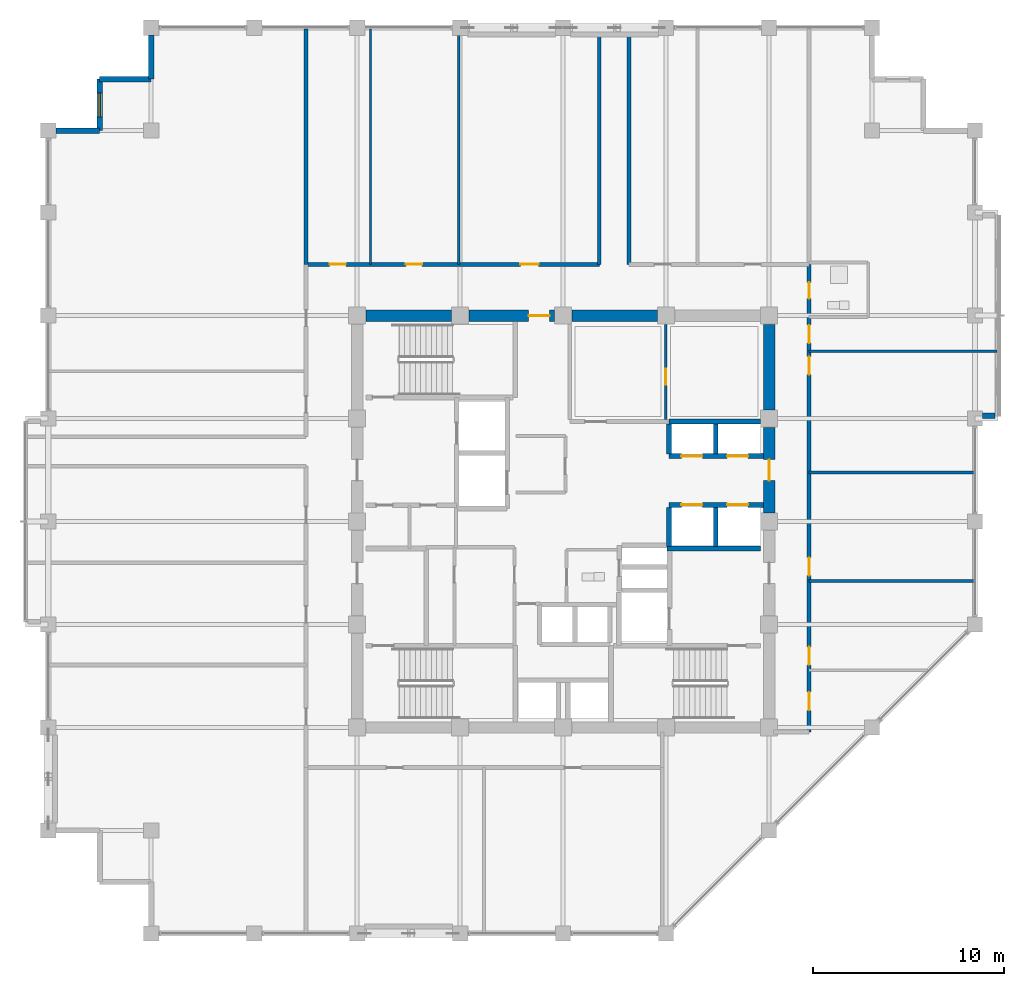
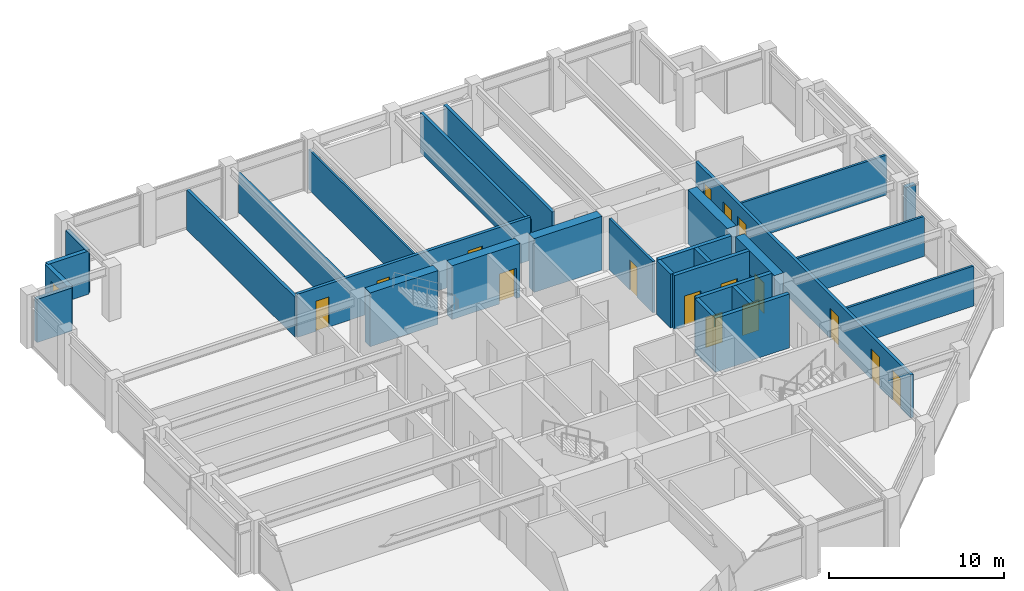
# One storey, part 28 of 32: 29 walls, 16 doors, 1 window, 17 openings.
"""IFC4 building model written with IfcOpenShell, lengths in metres."""

from ifc_helpers import new_model, si_unit, direction, frame, frame_2d, origin, place, context, subcontext, project, spatial, rectangle, extrude, material, layer, layer_set, type_object, element, fill, save


model = new_model("IFC4")

# Units and contexts
model_context = context("Model", 3, precision=1e-05, world=origin(), true_north=direction((0.0, 1.0)))
body_context = subcontext(model_context, "Body", "Model", "MODEL_VIEW")
ifc_project = project(units=[si_unit("LENGTHUNIT", "METRE"), si_unit("AREAUNIT", "SQUARE_METRE"), si_unit("VOLUMEUNIT", "CUBIC_METRE"), si_unit("PLANEANGLEUNIT", "RADIAN"), si_unit("MASSUNIT", "GRAM", prefix="KILO")], contexts=[model_context])

# Site, building, storey
site_placement = place(None, origin())
site = spatial("IfcSite", under=ifc_project, at=site_placement, CompositionType="ELEMENT")
building_placement = place(site_placement, origin())
building = spatial("IfcBuilding", under=site, at=building_placement, Name="Surkhivell Harbour Commons", CompositionType="ELEMENT")
storey_placement = place(building_placement, frame((0.0, 0.0, 234.75)))
storey = spatial("IfcBuildingStorey", under=building, at=storey_placement, Name="L61", CompositionType="ELEMENT", Elevation=234.75)

# Wall
ifc_material_1 = material(Name="Concrete C60/75", Category="concrete")
ifc_layer_1 = layer(ifc_material_1, 0.60009765625)
ifc_layer_set_1 = layer_set([ifc_layer_1], Name="Concrete C60/75")
wall_type_1 = type_object("IfcWallType", Name="WAL-CORE-600", PredefinedType="SHEAR", material=ifc_layer_set_1)
wall_1_placement = place(storey_placement, frame((-10.340087890625, 10.800048828125, 0.0), z_axis=(0.0, 0.0, 1.0), x_axis=(1.0, 0.0, 0.0)))
element("IfcWall", 1, at=wall_1_placement, inside=storey, type_object=wall_type_1, Name="L61 Core Shear Wall North 1", PredefinedType="SHEAR", context=body_context, shape_type="SweptSolid", body=[
    extrude(rectangle(XDim=4.47998046875, YDim=0.60009765625, at=frame_2d((2.239990234375, 0.0))), origin(), (0.0, 0.0, 1.0), 3.75),
])

# Wall, opening, door
wall_2_placement = place(storey_placement, frame((-4.93994140625, 10.800048828125, 0.0), z_axis=(0.0, 0.0, 1.0), x_axis=(1.0, 0.0, 0.0)))
wall_2 = element("IfcWall", 2, at=wall_2_placement, inside=storey, type_object=wall_type_1, Name="L61 Core Shear Wall North 2", PredefinedType="SHEAR", context=body_context, shape_type="SweptSolid", body=[
    extrude(rectangle(XDim=4.47998046875, YDim=0.60009765625, at=frame_2d((2.239990234375, 0.0))), origin(), (0.0, 0.0, 1.0), 3.75),
])
opening_1_placement = place(wall_2_placement, frame((3.1298828125, 0.0, 0.0)))
opening_1 = element("IfcOpeningElement", 3, at=opening_1_placement, cuts=wall_2, Name="Opening ID-2", PredefinedType="OPENING", context=body_context, shape_type="SweptSolid", body=[
    extrude(rectangle(XDim=1.10009765625, YDim=2.10009765625, at=frame_2d((0.550048828125, 1.050048828125))), frame((0.0, 0.31005859375, 0.0), z_axis=(0.0, -1.0, 0.0), x_axis=(1.0, 0.0, 0.0)), (0.0, 0.0, 1.0), 0.6201171875),
])
ifc_material_2 = material(Name="Hardwood-veneered fire-rated door leaf", Category="wood")
door_type_1 = type_object("IfcDoorType", Name="DOR-FD60-1100", OperationType="NOTDEFINED", PredefinedType="DOOR", material=ifc_material_2)
door_1_placement = place(opening_1_placement, origin())
door_1 = element("IfcDoor", 4, at=door_1_placement, inside=storey, type_object=door_type_1, Name="L61 Central Core Lift Hall North Corridor Door", OperationType="SINGLE_SWING_LEFT", OverallHeight=2.10009765625, OverallWidth=1.10009765625, PredefinedType="DOOR", context=body_context, shape_type="SweptSolid", body=[
    extrude(rectangle(XDim=1.10009765625, YDim=2.10009765625, at=frame_2d((0.550048828125, 1.050048828125))), frame((0.0, 0.02490234375, 0.0), z_axis=(0.0, -1.0, 0.0), x_axis=(1.0, 0.0, 0.0)), (0.0, 0.0, 1.0), 0.050048828125),
])
fill(opening_1, door_1)

# Wall
wall_3_placement = place(storey_placement, frame((0.4599609375, 10.800048828125, 0.0), z_axis=(0.0, 0.0, 1.0), x_axis=(1.0, 0.0, 0.0)))
element("IfcWall", 5, at=wall_3_placement, inside=storey, type_object=wall_type_1, Name="L61 Core Shear Wall North 3", PredefinedType="SHEAR", context=body_context, shape_type="SweptSolid", body=[
    extrude(rectangle(XDim=4.47998046875, YDim=0.60009765625, at=frame_2d((2.239990234375, 0.0))), origin(), (0.0, 0.0, 1.0), 3.75),
])

# Wall, opening, door
wall_4_placement = place(storey_placement, frame((10.800048828125, 0.4599609375, 0.0), z_axis=(0.0, 0.0, 1.0), x_axis=(0.0, 1.0, 0.0)))
wall_4 = element("IfcWall", 6, at=wall_4_placement, inside=storey, type_object=wall_type_1, Name="L61 Core Shear Wall East 3", PredefinedType="SHEAR", context=body_context, shape_type="SweptSolid", body=[
    extrude(rectangle(XDim=4.47998046875, YDim=0.60009765625, at=frame_2d((2.239990234375, 0.0))), origin(), (0.0, 0.0, 1.0), 3.75),
])
opening_2_placement = place(wall_4_placement, frame((1.68994140625, 0.0, 0.0)))
opening_2 = element("IfcOpeningElement", 7, at=opening_2_placement, cuts=wall_4, Name="Opening ID-2", PredefinedType="OPENING", context=body_context, shape_type="SweptSolid", body=[
    extrude(rectangle(XDim=1.10009765625, YDim=2.10009765625, at=frame_2d((0.550048828125, 1.050048828125))), frame((0.0, 0.31005859375, 0.0), z_axis=(0.0, -1.0, 0.0), x_axis=(1.0, 0.0, 0.0)), (0.0, 0.0, 1.0), 0.6201171875),
])
door_2_placement = place(opening_2_placement, origin())
door_2 = element("IfcDoor", 8, at=door_2_placement, inside=storey, type_object=door_type_1, Name="L61 Mid-Rise Lobby East Door", OperationType="SINGLE_SWING_LEFT", OverallHeight=2.10009765625, OverallWidth=1.10009765625, PredefinedType="DOOR", context=body_context, shape_type="SweptSolid", body=[
    extrude(rectangle(XDim=1.10009765625, YDim=2.10009765625, at=frame_2d((0.550048828125, 1.050048828125))), frame((0.0, 0.02490234375, 0.0), z_axis=(0.0, -1.0, 0.0), x_axis=(1.0, 0.0, 0.0)), (0.0, 0.0, 1.0), 0.050048828125),
])
fill(opening_2, door_2)

# Walls
wall_5_placement = place(storey_placement, frame((10.800048828125, 5.860107421875, 0.0), z_axis=(0.0, 0.0, 1.0), x_axis=(0.0, 1.0, 0.0)))
element("IfcWall", 9, at=wall_5_placement, inside=storey, type_object=wall_type_1, Name="L61 Core Shear Wall East 4", PredefinedType="SHEAR", context=body_context, shape_type="SweptSolid", body=[
    extrude(rectangle(XDim=4.47998046875, YDim=0.60009765625, at=frame_2d((2.239990234375, 0.0))), origin(), (0.0, 0.0, 1.0), 3.75),
])
ifc_material_3 = material(Name="Flemish-bond kiln brick and precast concrete C45/55", Category="masonry")
ifc_layer_2 = layer(ifc_material_3, 0.300048828125)
ifc_layer_set_2 = layer_set([ifc_layer_2], Name="Flemish-bond kiln brick and precast concrete C45/55")
wall_type_2 = type_object("IfcWallType", Name="WAL-EXT-BRK300", PredefinedType="STANDARD", material=ifc_layer_set_2)
wall_6_placement = place(storey_placement, frame((22.00390625, 5.5400390625, 0.0), z_axis=(0.0, 0.0, 1.0), x_axis=(1.0, 0.0, 0.0)))
element("IfcWall", 10, at=wall_6_placement, inside=storey, type_object=wall_type_2, Name="L61 Coloured Box Return Wall 01S", PredefinedType="STANDARD", context=body_context, shape_type="SweptSolid", body=[
    extrude(rectangle(XDim=0.656005859375, YDim=0.300048828125, at=frame_2d((0.328125, 0.0))), origin(), (0.0, 0.0, 1.0), 2.85693359375),
])
ifc_material_4 = material(Name="Terracotta-clad reinforced concrete C45/55", Category="masonry")
ifc_layer_3 = layer(ifc_material_4, 0.280029296875)
ifc_layer_set_3 = layer_set([ifc_layer_3], Name="Terracotta-clad reinforced concrete C45/55")
wall_type_3 = type_object("IfcWallType", Name="WAL-EXT-TER280", PredefinedType="STANDARD", material=ifc_layer_set_3)
wall_7_placement = place(storey_placement, frame((-21.60009765625, 25.501953125, 0.0), z_axis=(0.0, 0.0, 1.0), x_axis=(0.0, -1.0, 0.0)))
element("IfcWall", 11, at=wall_7_placement, inside=storey, type_object=wall_type_3, Name="L61 Serrated Corner Facade Wall 08", PredefinedType="STANDARD", context=body_context, shape_type="SweptSolid", body=[
    extrude(rectangle(XDim=2.302001953125, YDim=0.280029296875, at=frame_2d((1.15087890625, 0.0))), origin(), (0.0, 0.0, 1.0), 3.006103515625),
])
wall_8_placement = place(storey_placement, frame((-21.60009765625, 23.199951171875, 0.0), z_axis=(0.0, 0.0, 1.0), x_axis=(-1.0, 0.0, 0.0)))
element("IfcWall", 12, at=wall_8_placement, inside=storey, type_object=wall_type_3, Name="L61 Serrated Corner Facade Wall 09", PredefinedType="STANDARD", context=body_context, shape_type="SweptSolid", body=[
    extrude(rectangle(XDim=2.699951171875, YDim=0.280029296875, at=frame_2d((1.35009765625, 0.0))), origin(), (0.0, 0.0, 1.0), 3.006103515625),
])

# Wall, opening, window
wall_9_placement = place(storey_placement, frame((-24.300048828125, 23.199951171875, 0.0), z_axis=(0.0, 0.0, 1.0), x_axis=(0.0, -1.0, 0.0)))
wall_9 = element("IfcWall", 13, at=wall_9_placement, inside=storey, type_object=wall_type_3, Name="L61 Serrated Corner Facade Wall 10", PredefinedType="STANDARD", context=body_context, shape_type="SweptSolid", body=[
    extrude(rectangle(XDim=2.699951171875, YDim=0.280029296875, at=frame_2d((1.35009765625, 0.0))), origin(), (0.0, 0.0, 1.0), 3.006103515625),
])
opening_3_placement = place(wall_9_placement, frame((0.72509765625, 0.0, 0.64990234375)))
opening_3 = element("IfcOpeningElement", 14, at=opening_3_placement, cuts=wall_9, Name="Opening WN-09", PredefinedType="OPENING", context=body_context, shape_type="SweptSolid", body=[
    extrude(rectangle(XDim=1.25, YDim=1.60009765625, at=frame_2d((0.625, 0.800048828125))), frame((0.0, 0.14990234375, 0.0), z_axis=(0.0, -1.0, 0.0), x_axis=(1.0, 0.0, 0.0)), (0.0, 0.0, 1.0), 0.300048828125),
])
ifc_material_5 = material(Name="Thermal-break aluminium frame and double low-E glazing", Category="aluminium")
window_type = type_object("IfcWindowType", Name="WIN-SER-1250x1600", PartitioningType="SINGLE_PANEL", PredefinedType="WINDOW", material=ifc_material_5)
window_placement = place(opening_3_placement, origin())
window = element("IfcWindow", 15, at=window_placement, inside=storey, type_object=window_type, Name="L61 Serrated Alcove Window 10", OverallHeight=1.60009765625, OverallWidth=1.25, PartitioningType="SINGLE_PANEL", PredefinedType="WINDOW", context=body_context, shape_type="SweptSolid", body=[
    extrude(rectangle(XDim=1.25, YDim=1.60009765625, at=frame_2d((0.625, 0.800048828125))), frame((0.0, 0.030029296875, 0.0), z_axis=(0.0, -1.0, 0.0), x_axis=(1.0, 0.0, 0.0)), (0.0, 0.0, 1.0), 0.06005859375),
])
fill(opening_3, window)

# Walls
wall_10_placement = place(storey_placement, frame((-24.300048828125, 20.5, 0.0), z_axis=(0.0, 0.0, 1.0), x_axis=(-1.0, 0.0, 0.0)))
element("IfcWall", 16, at=wall_10_placement, inside=storey, type_object=wall_type_3, Name="L61 Serrated Corner Facade Wall 11", PredefinedType="STANDARD", context=body_context, shape_type="SweptSolid", body=[
    extrude(rectangle(XDim=2.302001953125, YDim=0.280029296875, at=frame_2d((1.15087890625, 0.0))), origin(), (0.0, 0.0, 1.0), 3.006103515625),
])
ifc_material_6 = material(Name="Moisture-resistant acoustic stud partition", Category="other")
ifc_layer_4 = layer(ifc_material_6, 0.125)
ifc_layer_set_4 = layer_set([ifc_layer_4], Name="Moisture-resistant acoustic stud partition")
wall_type_4 = type_object("IfcWallType", Name="WAL-INT-125", PredefinedType="PARTITIONING", material=ifc_layer_set_4)
for number, where, z_axis, x_axis, name in (
    (17, (-10.10009765625, 13.47998046875, 0.0), (0.0, 0.0, 1.0), (0.0, 1.0, 0.0), "L61 North-West Partition P1"),
    (18, (-5.47998046875, 13.47998046875, 0.0), (0.0, 0.0, 1.0), (0.0, 1.0, 0.0), "L61 North-West Partition P2"),
):
    element("IfcWall", number, at=place(storey_placement, frame(where, z_axis=z_axis, x_axis=x_axis)), inside=storey, type_object=wall_type_4, Name=name, PredefinedType="PARTITIONING", context=body_context, shape_type="SweptSolid", body=[
        extrude(rectangle(XDim=12.360107421875, YDim=0.125, at=frame_2d((6.18017578125, 0.0))), origin(), (0.0, 0.0, 1.0), 2.780029296875),
    ])

# Wall, opening, door
ifc_material_7 = material(Name="Twin-stud acoustic fireboard partition", Category="other")
ifc_layer_5 = layer(ifc_material_7, 0.14990234375)
ifc_layer_set_5 = layer_set([ifc_layer_5], Name="Twin-stud acoustic fireboard partition")
wall_type_5 = type_object("IfcWallType", Name="WAL-INT-150", PredefinedType="PARTITIONING", material=ifc_layer_set_5)
wall_11_placement = place(storey_placement, frame((5.3798828125, 5.360107421875, 0.0), z_axis=(0.0, 0.0, 1.0), x_axis=(0.0, 1.0, 0.0)))
wall_11 = element("IfcWall", 19, at=wall_11_placement, inside=storey, type_object=wall_type_5, Name="L61 Core Library Divider", PredefinedType="PARTITIONING", context=body_context, shape_type="SweptSolid", body=[
    extrude(rectangle(XDim=4.97998046875, YDim=0.14990234375, at=frame_2d((2.489990234375, 0.0))), origin(), (0.0, 0.0, 1.0), 3.570068359375),
])
opening_4_placement = place(wall_11_placement, frame((1.800048828125, 0.0, 0.0)))
opening_4 = element("IfcOpeningElement", 20, at=opening_4_placement, cuts=wall_11, Name="Opening ID-6", PredefinedType="OPENING", context=body_context, shape_type="SweptSolid", body=[
    extrude(rectangle(XDim=0.85009765625, YDim=2.10009765625, at=frame_2d((0.425048828125, 1.050048828125))), frame((0.0, 0.0849609375, 0.0), z_axis=(0.0, -1.0, 0.0), x_axis=(1.0, 0.0, 0.0)), (0.0, 0.0, 1.0), 0.169921875),
])
door_type_2 = type_object("IfcDoorType", Name="DOR-FD30-850", OperationType="NOTDEFINED", PredefinedType="DOOR", material=ifc_material_2)
door_3_placement = place(opening_4_placement, origin())
door_3 = element("IfcDoor", 21, at=door_3_placement, inside=storey, type_object=door_type_2, Name="L61 Core Reading Door", OperationType="SINGLE_SWING_RIGHT", OverallHeight=2.10009765625, OverallWidth=0.85009765625, PredefinedType="DOOR", context=body_context, shape_type="SweptSolid", body=[
    extrude(rectangle(XDim=0.85009765625, YDim=2.10009765625, at=frame_2d((0.425048828125, 1.050048828125))), frame((0.0, 0.02490234375, 0.0), z_axis=(0.0, -1.0, 0.0), x_axis=(1.0, 0.0, 0.0)), (0.0, 0.0, 1.0), 0.050048828125),
])
fill(opening_4, door_3)

# Walls
for number, where, z_axis, x_axis, name in (
    (22, (12.89990234375, -3.1201171875, 0.0), (0.0, 0.0, 1.0), (1.0, 0.0, 0.0), "L61 East Partition BDP1"),
    (23, (12.89990234375, 2.570068359375, 0.0), (0.0, 0.0, 1.0), (1.0, 0.0, 0.0), "L61 East Partition BDP2"),
):
    element("IfcWall", number, at=place(storey_placement, frame(where, z_axis=z_axis, x_axis=x_axis)), inside=storey, type_object=wall_type_5, Name=name, PredefinedType="PARTITIONING", context=body_context, shape_type="SweptSolid", body=[
        extrude(rectangle(XDim=8.64013671875, YDim=0.14990234375, at=frame_2d((4.320068359375, 0.0))), origin(), (0.0, 0.0, 1.0), 2.780029296875),
    ])
wall_12_placement = place(storey_placement, frame((12.89990234375, 8.929931640625, 0.0), z_axis=(0.0, 0.0, 1.0), x_axis=(1.0, 0.0, 0.0)))
element("IfcWall", 24, at=wall_12_placement, inside=storey, type_object=wall_type_5, Name="L61 East Partition PTOP", PredefinedType="PARTITIONING", context=body_context, shape_type="SweptSolid", body=[
    extrude(rectangle(XDim=9.840087890625, YDim=0.14990234375, at=frame_2d((4.919921875, 0.0))), origin(), (0.0, 0.0, 1.0), 2.780029296875),
])
ifc_material_8 = material(Name="Autoclaved aerated concrete blockwork and fire plaster", Category="masonry")
ifc_layer_6 = layer(ifc_material_8, 0.199951171875)
ifc_layer_set_6 = layer_set([ifc_layer_6], Name="Autoclaved aerated concrete blockwork and fire plaster")
wall_type_6 = type_object("IfcWallType", Name="WAL-INT-200", PredefinedType="PARTITIONING", material=ifc_layer_set_6)
wall_13_placement = place(storey_placement, frame((-13.47998046875, 13.47998046875, 0.0), z_axis=(0.0, 0.0, 1.0), x_axis=(0.0, 1.0, 0.0)))
element("IfcWall", 25, at=wall_13_placement, inside=storey, type_object=wall_type_6, Name="L61 North-West Corner Wall", PredefinedType="PARTITIONING", context=body_context, shape_type="SweptSolid", body=[
    extrude(rectangle(XDim=12.360107421875, YDim=0.199951171875, at=frame_2d((6.18017578125, 0.0))), origin(), (0.0, 0.0, 1.0), 2.780029296875),
])

# Wall, openings, doors
wall_14_placement = place(storey_placement, frame((12.89990234375, -11.0400390625, 0.0), z_axis=(0.0, 0.0, 1.0), x_axis=(0.0, 1.0, 0.0)))
wall_14 = element("IfcWall", 26, at=wall_14_placement, inside=storey, type_object=wall_type_6, Name="L61 Corridor East Wall", PredefinedType="PARTITIONING", context=body_context, shape_type="SweptSolid", body=[
    extrude(rectangle(XDim=24.52001953125, YDim=0.199951171875, at=frame_2d((12.260009765625, 0.0))), origin(), (0.0, 0.0, 1.0), 3.006103515625),
])
opening_5_placement = place(wall_14_placement, frame((1.139892578125, 0.0, 0.0)))
opening_5 = element("IfcOpeningElement", 27, at=opening_5_placement, cuts=wall_14, Name="Opening ID-4", PredefinedType="OPENING", context=body_context, shape_type="SweptSolid", body=[
    extrude(rectangle(XDim=0.949951171875, YDim=2.10009765625, at=frame_2d((0.47509765625, 1.050048828125))), frame((0.0, 0.10986328125, 0.0), z_axis=(0.0, -1.0, 0.0), x_axis=(1.0, 0.0, 0.0)), (0.0, 0.0, 1.0), 0.219970703125),
])
opening_6_placement = place(wall_14_placement, frame((22.72509765625, 0.0, 0.0)))
opening_6 = element("IfcOpeningElement", 28, at=opening_6_placement, cuts=wall_14, Name="Opening ID-6", PredefinedType="OPENING", context=body_context, shape_type="SweptSolid", body=[
    extrude(rectangle(XDim=0.85009765625, YDim=2.10009765625, at=frame_2d((0.425048828125, 1.050048828125))), frame((0.0, 0.10986328125, 0.0), z_axis=(0.0, -1.0, 0.0), x_axis=(1.0, 0.0, 0.0)), (0.0, 0.0, 1.0), 0.219970703125),
])
opening_7_placement = place(wall_14_placement, frame((20.389892578125, 0.0, 0.0)))
opening_7 = element("IfcOpeningElement", 29, at=opening_7_placement, cuts=wall_14, Name="Opening ID-4", PredefinedType="OPENING", context=body_context, shape_type="SweptSolid", body=[
    extrude(rectangle(XDim=0.949951171875, YDim=2.10009765625, at=frame_2d((0.47509765625, 1.050048828125))), frame((0.0, 0.10986328125, 0.0), z_axis=(0.0, -1.0, 0.0), x_axis=(1.0, 0.0, 0.0)), (0.0, 0.0, 1.0), 0.219970703125),
])
opening_8_placement = place(wall_14_placement, frame((3.52001953125, 0.0, 0.0)))
opening_8 = element("IfcOpeningElement", 30, at=opening_8_placement, cuts=wall_14, Name="Opening ID-4", PredefinedType="OPENING", context=body_context, shape_type="SweptSolid", body=[
    extrude(rectangle(XDim=0.949951171875, YDim=2.10009765625, at=frame_2d((0.47509765625, 1.050048828125))), frame((0.0, 0.10986328125, 0.0), z_axis=(0.0, -1.0, 0.0), x_axis=(1.0, 0.0, 0.0)), (0.0, 0.0, 1.0), 0.219970703125),
])
opening_9_placement = place(wall_14_placement, frame((8.199951171875, 0.0, 0.0)))
opening_9 = element("IfcOpeningElement", 31, at=opening_9_placement, cuts=wall_14, Name="Opening ID-4", PredefinedType="OPENING", context=body_context, shape_type="SweptSolid", body=[
    extrude(rectangle(XDim=0.949951171875, YDim=2.10009765625, at=frame_2d((0.47509765625, 1.050048828125))), frame((0.0, 0.10986328125, 0.0), z_axis=(0.0, -1.0, 0.0), x_axis=(1.0, 0.0, 0.0)), (0.0, 0.0, 1.0), 0.219970703125),
])
opening_10_placement = place(wall_14_placement, frame((18.739990234375, 0.0, 0.0)))
opening_10 = element("IfcOpeningElement", 32, at=opening_10_placement, cuts=wall_14, Name="Opening ID-4", PredefinedType="OPENING", context=body_context, shape_type="SweptSolid", body=[
    extrude(rectangle(XDim=0.949951171875, YDim=2.10009765625, at=frame_2d((0.47509765625, 1.050048828125))), frame((0.0, 0.10986328125, 0.0), z_axis=(0.0, -1.0, 0.0), x_axis=(1.0, 0.0, 0.0)), (0.0, 0.0, 1.0), 0.219970703125),
])
door_4_placement = place(opening_6_placement, origin())
door_4 = element("IfcDoor", 33, at=door_4_placement, inside=storey, type_object=door_type_2, Name="L61 Communal Shower Bathroom East Door", OperationType="SINGLE_SWING_RIGHT", OverallHeight=2.10009765625, OverallWidth=0.85009765625, PredefinedType="DOOR", context=body_context, shape_type="SweptSolid", body=[
    extrude(rectangle(XDim=0.85009765625, YDim=2.10009765625, at=frame_2d((0.425048828125, 1.050048828125))), frame((0.0, 0.02490234375, 0.0), z_axis=(0.0, -1.0, 0.0), x_axis=(1.0, 0.0, 0.0)), (0.0, 0.0, 1.0), 0.050048828125),
])
fill(opening_6, door_4)
door_type_3 = type_object("IfcDoorType", Name="DOR-FD60-950", OperationType="NOTDEFINED", PredefinedType="DOOR", material=ifc_material_2)
door_5_placement = place(opening_5_placement, origin())
door_5 = element("IfcDoor", 34, at=door_5_placement, inside=storey, type_object=door_type_3, Name="L61 Shared Communal Kitchen East Door", OperationType="SINGLE_SWING_LEFT", OverallHeight=2.10009765625, OverallWidth=0.949951171875, PredefinedType="DOOR", context=body_context, shape_type="SweptSolid", body=[
    extrude(rectangle(XDim=0.949951171875, YDim=2.10009765625, at=frame_2d((0.47509765625, 1.050048828125))), frame((0.0, 0.02490234375, 0.0), z_axis=(0.0, -1.0, 0.0), x_axis=(1.0, 0.0, 0.0)), (0.0, 0.0, 1.0), 0.050048828125),
])
fill(opening_5, door_5)
door_6_placement = place(opening_7_placement, origin())
door_6 = element("IfcDoor", 35, at=door_6_placement, inside=storey, type_object=door_type_3, Name="L61 Academic Reading Commons East Door", OperationType="SINGLE_SWING_LEFT", OverallHeight=2.10009765625, OverallWidth=0.949951171875, PredefinedType="DOOR", context=body_context, shape_type="SweptSolid", body=[
    extrude(rectangle(XDim=0.949951171875, YDim=2.10009765625, at=frame_2d((0.47509765625, 1.050048828125))), frame((0.0, 0.02490234375, 0.0), z_axis=(0.0, -1.0, 0.0), x_axis=(1.0, 0.0, 0.0)), (0.0, 0.0, 1.0), 0.050048828125),
])
fill(opening_7, door_6)
door_7_placement = place(opening_8_placement, origin())
door_7 = element("IfcDoor", 36, at=door_7_placement, inside=storey, type_object=door_type_3, Name="L61 Hostel Cluster Bedroom 1 East Door", OperationType="SINGLE_SWING_RIGHT", OverallHeight=2.10009765625, OverallWidth=0.949951171875, PredefinedType="DOOR", context=body_context, shape_type="SweptSolid", body=[
    extrude(rectangle(XDim=0.949951171875, YDim=2.10009765625, at=frame_2d((0.47509765625, 1.050048828125))), frame((0.0, 0.02490234375, 0.0), z_axis=(0.0, -1.0, 0.0), x_axis=(1.0, 0.0, 0.0)), (0.0, 0.0, 1.0), 0.050048828125),
])
fill(opening_8, door_7)
door_8_placement = place(opening_9_placement, origin())
door_8 = element("IfcDoor", 37, at=door_8_placement, inside=storey, type_object=door_type_3, Name="L61 Co-Living Dormitory Bedroom 2 East Door", OperationType="SINGLE_SWING_LEFT", OverallHeight=2.10009765625, OverallWidth=0.949951171875, PredefinedType="DOOR", context=body_context, shape_type="SweptSolid", body=[
    extrude(rectangle(XDim=0.949951171875, YDim=2.10009765625, at=frame_2d((0.47509765625, 1.050048828125))), frame((0.0, 0.02490234375, 0.0), z_axis=(0.0, -1.0, 0.0), x_axis=(1.0, 0.0, 0.0)), (0.0, 0.0, 1.0), 0.050048828125),
])
fill(opening_9, door_8)
door_9_placement = place(opening_10_placement, origin())
door_9 = element("IfcDoor", 38, at=door_9_placement, inside=storey, type_object=door_type_3, Name="L61 Hostel Cluster Bedroom 3 East Door", OperationType="SINGLE_SWING_RIGHT", OverallHeight=2.10009765625, OverallWidth=0.949951171875, PredefinedType="DOOR", context=body_context, shape_type="SweptSolid", body=[
    extrude(rectangle(XDim=0.949951171875, YDim=2.10009765625, at=frame_2d((0.47509765625, 1.050048828125))), frame((0.0, 0.02490234375, 0.0), z_axis=(0.0, -1.0, 0.0), x_axis=(1.0, 0.0, 0.0)), (0.0, 0.0, 1.0), 0.050048828125),
])
fill(opening_10, door_9)

wall_15_placement = place(storey_placement, frame((-13.47998046875, 13.47998046875, 0.0), z_axis=(0.0, 0.0, 1.0), x_axis=(1.0, 0.0, 0.0)))
wall_15 = element("IfcWall", 39, at=wall_15_placement, inside=storey, type_object=wall_type_6, Name="L61 Corridor North-West Wall", PredefinedType="PARTITIONING", context=body_context, shape_type="SweptSolid", body=[
    extrude(rectangle(XDim=15.3798828125, YDim=0.199951171875, at=frame_2d((7.68994140625, 0.0))), origin(), (0.0, 0.0, 1.0), 3.006103515625),
])
opening_11_placement = place(wall_15_placement, frame((1.239990234375, 0.0, 0.0)))
opening_11 = element("IfcOpeningElement", 40, at=opening_11_placement, cuts=wall_15, Name="Opening ID-6", PredefinedType="OPENING", context=body_context, shape_type="SweptSolid", body=[
    extrude(rectangle(XDim=0.85009765625, YDim=2.10009765625, at=frame_2d((0.425048828125, 1.050048828125))), frame((0.0, 0.10986328125, 0.0), z_axis=(0.0, -1.0, 0.0), x_axis=(1.0, 0.0, 0.0)), (0.0, 0.0, 1.0), 0.219970703125),
])
opening_12_placement = place(wall_15_placement, frame((5.239990234375, 0.0, 0.0)))
opening_12 = element("IfcOpeningElement", 41, at=opening_12_placement, cuts=wall_15, Name="Opening ID-6", PredefinedType="OPENING", context=body_context, shape_type="SweptSolid", body=[
    extrude(rectangle(XDim=0.85009765625, YDim=2.10009765625, at=frame_2d((0.425048828125, 1.050048828125))), frame((0.0, 0.10986328125, 0.0), z_axis=(0.0, -1.0, 0.0), x_axis=(1.0, 0.0, 0.0)), (0.0, 0.0, 1.0), 0.219970703125),
])
opening_13_placement = place(wall_15_placement, frame((11.239990234375, 0.0, 0.0)))
opening_13 = element("IfcOpeningElement", 42, at=opening_13_placement, cuts=wall_15, Name="Opening ID-4", PredefinedType="OPENING", context=body_context, shape_type="SweptSolid", body=[
    extrude(rectangle(XDim=0.949951171875, YDim=2.10009765625, at=frame_2d((0.47509765625, 1.050048828125))), frame((0.0, 0.10986328125, 0.0), z_axis=(0.0, -1.0, 0.0), x_axis=(1.0, 0.0, 0.0)), (0.0, 0.0, 1.0), 0.219970703125),
])
door_10_placement = place(opening_11_placement, origin())
door_10 = element("IfcDoor", 43, at=door_10_placement, inside=storey, type_object=door_type_2, Name="L61 Co-Working Study Office 1 North-West Door", OperationType="SINGLE_SWING_RIGHT", OverallHeight=2.10009765625, OverallWidth=0.85009765625, PredefinedType="DOOR", context=body_context, shape_type="SweptSolid", body=[
    extrude(rectangle(XDim=0.85009765625, YDim=2.10009765625, at=frame_2d((0.425048828125, 1.050048828125))), frame((0.0, 0.02490234375, 0.0), z_axis=(0.0, -1.0, 0.0), x_axis=(1.0, 0.0, 0.0)), (0.0, 0.0, 1.0), 0.050048828125),
])
fill(opening_11, door_10)
door_11_placement = place(opening_12_placement, origin())
door_11 = element("IfcDoor", 44, at=door_11_placement, inside=storey, type_object=door_type_2, Name="L61 Co-Working Study Office 2 North-West Door", OperationType="SINGLE_SWING_LEFT", OverallHeight=2.10009765625, OverallWidth=0.85009765625, PredefinedType="DOOR", context=body_context, shape_type="SweptSolid", body=[
    extrude(rectangle(XDim=0.85009765625, YDim=2.10009765625, at=frame_2d((0.425048828125, 1.050048828125))), frame((0.0, 0.02490234375, 0.0), z_axis=(0.0, -1.0, 0.0), x_axis=(1.0, 0.0, 0.0)), (0.0, 0.0, 1.0), 0.050048828125),
])
fill(opening_12, door_11)
door_12_placement = place(opening_13_placement, origin())
door_12 = element("IfcDoor", 45, at=door_12_placement, inside=storey, type_object=door_type_3, Name="L61 Co-Working Study Office 3 North-West Door", OperationType="SINGLE_SWING_RIGHT", OverallHeight=2.10009765625, OverallWidth=0.949951171875, PredefinedType="DOOR", context=body_context, shape_type="SweptSolid", body=[
    extrude(rectangle(XDim=0.949951171875, YDim=2.10009765625, at=frame_2d((0.47509765625, 1.050048828125))), frame((0.0, 0.02490234375, 0.0), z_axis=(0.0, -1.0, 0.0), x_axis=(1.0, 0.0, 0.0)), (0.0, 0.0, 1.0), 0.050048828125),
])
fill(opening_13, door_12)

# Walls
for number, where, z_axis, x_axis, name in (
    (46, (3.449951171875, 13.47998046875, 0.0), (0.0, 0.0, 1.0), (0.0, 1.0, 0.0), "L61 North Spur East Wall"),
    (47, (1.89990234375, 13.47998046875, 0.0), (0.0, 0.0, 1.0), (0.0, 1.0, 0.0), "L61 North Spur West Wall"),
):
    element("IfcWall", number, at=place(storey_placement, frame(where, z_axis=z_axis, x_axis=x_axis)), inside=storey, type_object=wall_type_6, Name=name, PredefinedType="PARTITIONING", context=body_context, shape_type="SweptSolid", body=[
        extrude(rectangle(XDim=12.360107421875, YDim=0.199951171875, at=frame_2d((6.18017578125, 0.0))), origin(), (0.0, 0.0, 1.0), 2.780029296875),
    ])
ifc_material_9 = material(Name="Concrete C50/60", Category="concrete")
ifc_layer_7 = layer(ifc_material_9, 0.25)
ifc_layer_set_7 = layer_set([ifc_layer_7], Name="Concrete C50/60")
wall_type_7 = type_object("IfcWallType", Name="WAL-SHAFT-250", PredefinedType="SHEAR", material=ifc_layer_set_7)
wall_16_placement = place(storey_placement, frame((5.43994140625, -1.419921875, 0.0), z_axis=(0.0, 0.0, 1.0), x_axis=(1.0, 0.0, 0.0)))
element("IfcWall", 48, at=wall_16_placement, inside=storey, type_object=wall_type_7, Name="L61 Firefighting Lobby 2 North Wall", PredefinedType="SHEAR", context=body_context, shape_type="SweptSolid", body=[
    extrude(rectangle(XDim=4.900146484375, YDim=0.25, at=frame_2d((2.4501953125, 0.0))), origin(), (0.0, 0.0, 1.0), 3.75),
])
for number, where, z_axis, x_axis, name in (
    (49, (5.550048828125, 3.550048828125, 0.0), (0.0, 0.0, 1.0), (0.0, 1.0, 0.0), "L61 Mid-Rise Shaft Side Wall N"),
    (50, (8.0, 3.550048828125, 0.0), (0.0, 0.0, 1.0), (0.0, 1.0, 0.0), "L61 Mid-Rise Shaft Side Wall N"),
):
    element("IfcWall", number, at=place(storey_placement, frame(where, z_axis=z_axis, x_axis=x_axis)), inside=storey, type_object=wall_type_7, Name=name, PredefinedType="SHEAR", context=body_context, shape_type="SweptSolid", body=[
        extrude(rectangle(XDim=1.570068359375, YDim=0.25, at=frame_2d((0.78515625, 0.0))), origin(), (0.0, 0.0, 1.0), 3.75),
    ])
for number, where, z_axis, x_axis, name in (
    (51, (5.550048828125, -1.300048828125, 0.0), (0.0, 0.0, 1.0), (0.0, 1.0, 0.0), "L61 Mid-Rise Shaft Side Wall S"),
    (52, (8.0, -1.300048828125, 0.0), (0.0, 0.0, 1.0), (0.0, 1.0, 0.0), "L61 Mid-Rise Shaft Side Wall S"),
):
    element("IfcWall", number, at=place(storey_placement, frame(where, z_axis=z_axis, x_axis=x_axis)), inside=storey, type_object=wall_type_7, Name=name, PredefinedType="SHEAR", context=body_context, shape_type="SweptSolid", body=[
        extrude(rectangle(XDim=2.0400390625, YDim=0.25, at=frame_2d((1.02001953125, 0.0))), origin(), (0.0, 0.0, 1.0), 3.75),
    ])

# Wall, openings, doors
wall_17_placement = place(storey_placement, frame((5.550048828125, 3.429931640625, 0.0), z_axis=(0.0, 0.0, 1.0), x_axis=(1.0, 0.0, 0.0)))
wall_17 = element("IfcWall", 53, at=wall_17_placement, inside=storey, type_object=wall_type_7, Name="L61 Mid-Rise North Front Shaft Wall", PredefinedType="SHEAR", context=body_context, shape_type="SweptSolid", body=[
    extrude(rectangle(XDim=4.949951171875, YDim=0.25, at=frame_2d((2.47509765625, 0.0))), origin(), (0.0, 0.0, 1.0), 3.75),
])
opening_14_placement = place(wall_17_placement, frame((0.64990234375, 0.0, 0.0)))
opening_14 = element("IfcOpeningElement", 54, at=opening_14_placement, cuts=wall_17, Name="Opening LD-1", PredefinedType="OPENING", context=body_context, shape_type="SweptSolid", body=[
    extrude(rectangle(XDim=1.10009765625, YDim=2.10009765625, at=frame_2d((0.550048828125, 1.050048828125))), frame((0.0, 0.135009765625, 0.0), z_axis=(0.0, -1.0, 0.0), x_axis=(1.0, 0.0, 0.0)), (0.0, 0.0, 1.0), 0.27001953125),
])
opening_15_placement = place(wall_17_placement, frame((3.050048828125, 0.0, 0.0)))
opening_15 = element("IfcOpeningElement", 55, at=opening_15_placement, cuts=wall_17, Name="Opening LD-1", PredefinedType="OPENING", context=body_context, shape_type="SweptSolid", body=[
    extrude(rectangle(XDim=1.10009765625, YDim=2.10009765625, at=frame_2d((0.550048828125, 1.050048828125))), frame((0.0, 0.135009765625, 0.0), z_axis=(0.0, -1.0, 0.0), x_axis=(1.0, 0.0, 0.0)), (0.0, 0.0, 1.0), 0.27001953125),
])
ifc_material_10 = material(Name="Brushed stainless steel S355", Category="steel")
door_type_4 = type_object("IfcDoorType", Name="DOR-LD-1100", OperationType="SLIDING_TO_LEFT", PredefinedType="DOOR", material=ifc_material_10)
door_13_placement = place(opening_14_placement, origin())
door_13 = element("IfcDoor", 56, at=door_13_placement, inside=storey, type_object=door_type_4, Name="L61 Lift Landing Door LD-PM1", OperationType="SLIDING_TO_RIGHT", OverallHeight=2.10009765625, OverallWidth=1.10009765625, PredefinedType="DOOR", context=body_context, shape_type="SweptSolid", body=[
    extrude(rectangle(XDim=1.10009765625, YDim=2.10009765625, at=frame_2d((0.550048828125, 1.050048828125))), frame((0.0, 0.02490234375, 0.0), z_axis=(0.0, -1.0, 0.0), x_axis=(1.0, 0.0, 0.0)), (0.0, 0.0, 1.0), 0.050048828125),
])
fill(opening_14, door_13)
door_14_placement = place(opening_15_placement, origin())
door_14 = element("IfcDoor", 57, at=door_14_placement, inside=storey, type_object=door_type_4, Name="L61 Lift Landing Door LD-PM2", OperationType="SLIDING_TO_RIGHT", OverallHeight=2.10009765625, OverallWidth=1.10009765625, PredefinedType="DOOR", context=body_context, shape_type="SweptSolid", body=[
    extrude(rectangle(XDim=1.10009765625, YDim=2.10009765625, at=frame_2d((0.550048828125, 1.050048828125))), frame((0.0, 0.02490234375, 0.0), z_axis=(0.0, -1.0, 0.0), x_axis=(1.0, 0.0, 0.0)), (0.0, 0.0, 1.0), 0.050048828125),
])
fill(opening_15, door_14)

# Wall
wall_18_placement = place(storey_placement, frame((5.550048828125, 5.239990234375, 0.0), z_axis=(0.0, 0.0, 1.0), x_axis=(1.0, 0.0, 0.0)))
element("IfcWall", 58, at=wall_18_placement, inside=storey, type_object=wall_type_7, Name="L61 Mid-Rise North Back Shaft Wall", PredefinedType="SHEAR", context=body_context, shape_type="SweptSolid", body=[
    extrude(rectangle(XDim=4.800048828125, YDim=0.25, at=frame_2d((2.39990234375, 0.0))), origin(), (0.0, 0.0, 1.0), 3.75),
])

# Wall, openings, doors
wall_19_placement = place(storey_placement, frame((5.550048828125, 0.8701171875, 0.0), z_axis=(0.0, 0.0, 1.0), x_axis=(1.0, 0.0, 0.0)))
wall_19 = element("IfcWall", 59, at=wall_19_placement, inside=storey, type_object=wall_type_7, Name="L61 Mid-Rise South Front Shaft Wall", PredefinedType="SHEAR", context=body_context, shape_type="SweptSolid", body=[
    extrude(rectangle(XDim=4.949951171875, YDim=0.25, at=frame_2d((2.47509765625, 0.0))), origin(), (0.0, 0.0, 1.0), 3.75),
])
opening_16_placement = place(wall_19_placement, frame((0.64990234375, 0.0, 0.0)))
opening_16 = element("IfcOpeningElement", 60, at=opening_16_placement, cuts=wall_19, Name="Opening LD-1", PredefinedType="OPENING", context=body_context, shape_type="SweptSolid", body=[
    extrude(rectangle(XDim=1.10009765625, YDim=2.10009765625, at=frame_2d((0.550048828125, 1.050048828125))), frame((0.0, 0.135009765625, 0.0), z_axis=(0.0, -1.0, 0.0), x_axis=(1.0, 0.0, 0.0)), (0.0, 0.0, 1.0), 0.27001953125),
])
opening_17_placement = place(wall_19_placement, frame((3.050048828125, 0.0, 0.0)))
opening_17 = element("IfcOpeningElement", 61, at=opening_17_placement, cuts=wall_19, Name="Opening LD-1", PredefinedType="OPENING", context=body_context, shape_type="SweptSolid", body=[
    extrude(rectangle(XDim=1.10009765625, YDim=2.10009765625, at=frame_2d((0.550048828125, 1.050048828125))), frame((0.0, 0.135009765625, 0.0), z_axis=(0.0, -1.0, 0.0), x_axis=(1.0, 0.0, 0.0)), (0.0, 0.0, 1.0), 0.27001953125),
])
door_15_placement = place(opening_16_placement, origin())
door_15 = element("IfcDoor", 62, at=door_15_placement, inside=storey, type_object=door_type_4, Name="L61 Lift Landing Door LD-PM3", OperationType="SLIDING_TO_RIGHT", OverallHeight=2.10009765625, OverallWidth=1.10009765625, PredefinedType="DOOR", context=body_context, shape_type="SweptSolid", body=[
    extrude(rectangle(XDim=1.10009765625, YDim=2.10009765625, at=frame_2d((0.550048828125, 1.050048828125))), frame((0.0, 0.02490234375, 0.0), z_axis=(0.0, -1.0, 0.0), x_axis=(1.0, 0.0, 0.0)), (0.0, 0.0, 1.0), 0.050048828125),
])
fill(opening_16, door_15)
door_16_placement = place(opening_17_placement, origin())
door_16 = element("IfcDoor", 63, at=door_16_placement, inside=storey, type_object=door_type_4, Name="L61 Lift Landing Door LD-PM4", OperationType="SLIDING_TO_RIGHT", OverallHeight=2.10009765625, OverallWidth=1.10009765625, PredefinedType="DOOR", context=body_context, shape_type="SweptSolid", body=[
    extrude(rectangle(XDim=1.10009765625, YDim=2.10009765625, at=frame_2d((0.550048828125, 1.050048828125))), frame((0.0, 0.02490234375, 0.0), z_axis=(0.0, -1.0, 0.0), x_axis=(1.0, 0.0, 0.0)), (0.0, 0.0, 1.0), 0.050048828125),
])
fill(opening_17, door_16)

save(model, "model.ifc")
